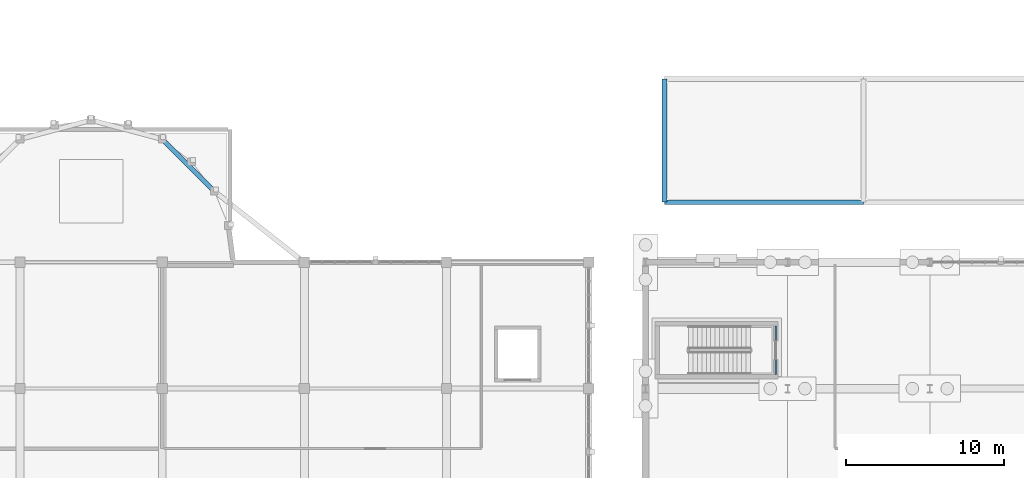
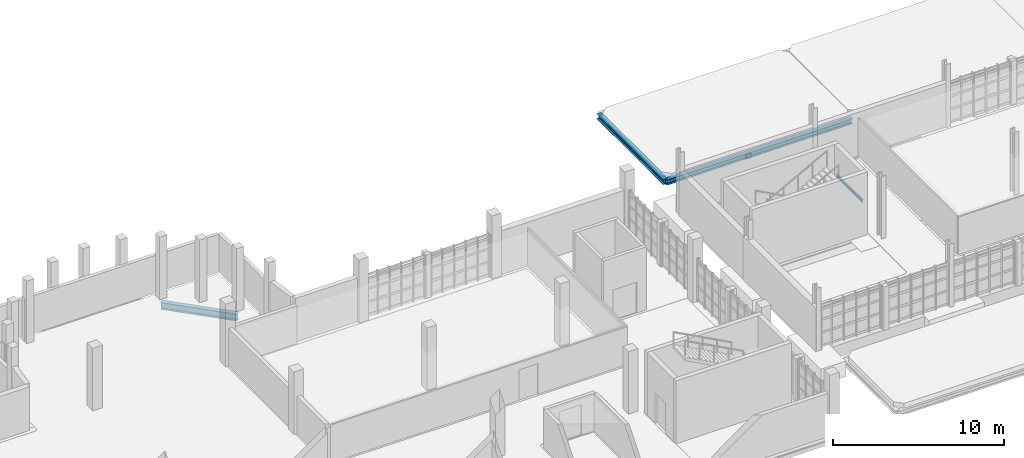
# One storey, part 33 of 125: 4 beams.
"""IFC4 building model written with IfcOpenShell, lengths in metres."""

from ifc_helpers import new_model, si_unit, direction, frame, origin, origin_2d, place, context, subcontext, project, spatial, i_section, extrude, material, material_profile, profile_set, type_object, element, save


model = new_model("IFC4")

# Units and contexts
model_context = context("Model", 3, precision=1e-05, world=origin(), true_north=direction((0.0, 1.0)))
body_context = subcontext(model_context, "Body", "Model", "MODEL_VIEW")
ifc_project = project(units=[si_unit("LENGTHUNIT", "METRE"), si_unit("AREAUNIT", "SQUARE_METRE"), si_unit("VOLUMEUNIT", "CUBIC_METRE"), si_unit("PLANEANGLEUNIT", "RADIAN"), si_unit("MASSUNIT", "GRAM", prefix="KILO")], contexts=[model_context])

# Site, building, storey
site_placement = place(None, origin())
site = spatial("IfcSite", under=ifc_project, at=site_placement, CompositionType="ELEMENT")
building_placement = place(site_placement, origin())
building = spatial("IfcBuilding", under=site, at=building_placement, Name="Serraforn Aerial Cableway Station", CompositionType="ELEMENT")
storey_placement = place(building_placement, frame((0.0, 0.0, 4.5)))
storey = spatial("IfcBuildingStorey", under=building, at=storey_placement, Name="L01", CompositionType="ELEMENT", Elevation=4.5)

# Beams
ifc_material_1 = material(Name="Steel S355JR", Category="steel")
ifc_material_profile_1 = material_profile(ifc_material_1, i_section(OverallWidth=0.300048828125, OverallDepth=0.360107421875, WebThickness=0.010009765625, FlangeThickness=0.017578125, FilletRadius=0.027099609375, at=origin_2d()), Name="HEA 360")
ifc_profile_set_1 = profile_set([ifc_material_profile_1], Name="Steel S355JR")
beam_type_1 = type_object("IfcBeamType", Name="BM-ST-HEA360", PredefinedType="BEAM", material=ifc_profile_set_1)
beam_1_placement = place(storey_placement, frame((95.39990234375, 45.800048828125, -0.47998046875), z_axis=(1.0, 0.0, 0.0), x_axis=(0.0, 1.0, 0.0)))
element("IfcBeam", 1, at=beam_1_placement, inside=storey, type_object=beam_type_1, Name="Colonnade Spandrel Beam NPX-1-1", PredefinedType="BEAM", context=body_context, shape_type="SweptSolid", body=[
    extrude(i_section(OverallWidth=0.300048828125, OverallDepth=0.360107421875, WebThickness=0.010009765625, FlangeThickness=0.017578125, FilletRadius=0.027099609375, at=origin_2d()), origin(), (0.0, 0.0, 1.0), 12.60009765625),
])
beam_2_placement = place(storey_placement, frame((95.39990234375, 45.800048828125, -0.47998046875), z_axis=(0.0, 1.0, 0.0), x_axis=(-1.0, 0.0, 0.0)))
element("IfcBeam", 2, at=beam_2_placement, inside=storey, type_object=beam_type_1, Name="Colonnade Cross Beam NPY-1-1", PredefinedType="BEAM", context=body_context, shape_type="SweptSolid", body=[
    extrude(i_section(OverallWidth=0.300048828125, OverallDepth=0.360107421875, WebThickness=0.010009765625, FlangeThickness=0.017578125, FilletRadius=0.027099609375, at=origin_2d()), origin(), (0.0, 0.0, 1.0), 7.800048828125),
])
ifc_material_2 = material(Name="Steel S355J2", Category="steel")
ifc_material_profile_2 = material_profile(ifc_material_2, i_section(OverallWidth=0.300048828125, OverallDepth=0.5, WebThickness=0.011962890625, FlangeThickness=0.02294921875, FilletRadius=0.027099609375, at=origin_2d()), Name="HEA 500")
ifc_profile_set_2 = profile_set([ifc_material_profile_2], Name="Steel S355J2")
beam_type_2 = type_object("IfcBeamType", Name="BM-ST-HEA500", PredefinedType="USERDEFINED", material=ifc_profile_set_2)
beam_3_placement = place(storey_placement, frame((63.60009765625, 49.794189453125, -0.56494140625), z_axis=(0.707106781187, -0.707106781187, 0.0), x_axis=(0.707106781187, 0.707106781187, 0.0)))
element("IfcBeam", 3, at=beam_3_placement, inside=storey, type_object=beam_type_2, Name="Apse Ring Girder L01-5", ObjectType="GIRDER", PredefinedType="USERDEFINED", context=body_context, shape_type="SweptSolid", body=[
    extrude(i_section(OverallWidth=0.300048828125, OverallDepth=0.5, WebThickness=0.011962890625, FlangeThickness=0.02294921875, FilletRadius=0.027099609375, at=origin_2d()), origin(), (0.0, 0.0, 1.0), 4.65869140625),
])
ifc_material_profile_3 = material_profile(ifc_material_1, i_section(OverallWidth=0.10009765625, OverallDepth=0.199951171875, WebThickness=0.005615234375, FlangeThickness=0.008544921875, FilletRadius=0.011962890625, at=origin_2d()), Name="IPE 200")
ifc_profile_set_3 = profile_set([ifc_material_profile_3], Name="Steel S355JR")
beam_type_3 = type_object("IfcBeamType", Name="BM-ST-IPE200", PredefinedType="LINTEL", material=ifc_profile_set_3)
beam_4_placement = place(storey_placement, frame((102.449951171875, 37.9599609375, 2.27490234375), z_axis=(0.0, -1.0, 0.0), x_axis=(1.0, 0.0, 0.0)))
element("IfcBeam", 4, at=beam_4_placement, inside=storey, type_object=beam_type_3, Name="Stair Core Door Lintel D-S33", PredefinedType="LINTEL", context=body_context, shape_type="SweptSolid", body=[
    extrude(i_section(OverallWidth=0.10009765625, OverallDepth=0.199951171875, WebThickness=0.005615234375, FlangeThickness=0.008544921875, FilletRadius=0.011962890625, at=origin_2d()), origin(), (0.0, 0.0, 1.0), 3.06005859375),
])

save(model, "model.ifc")
